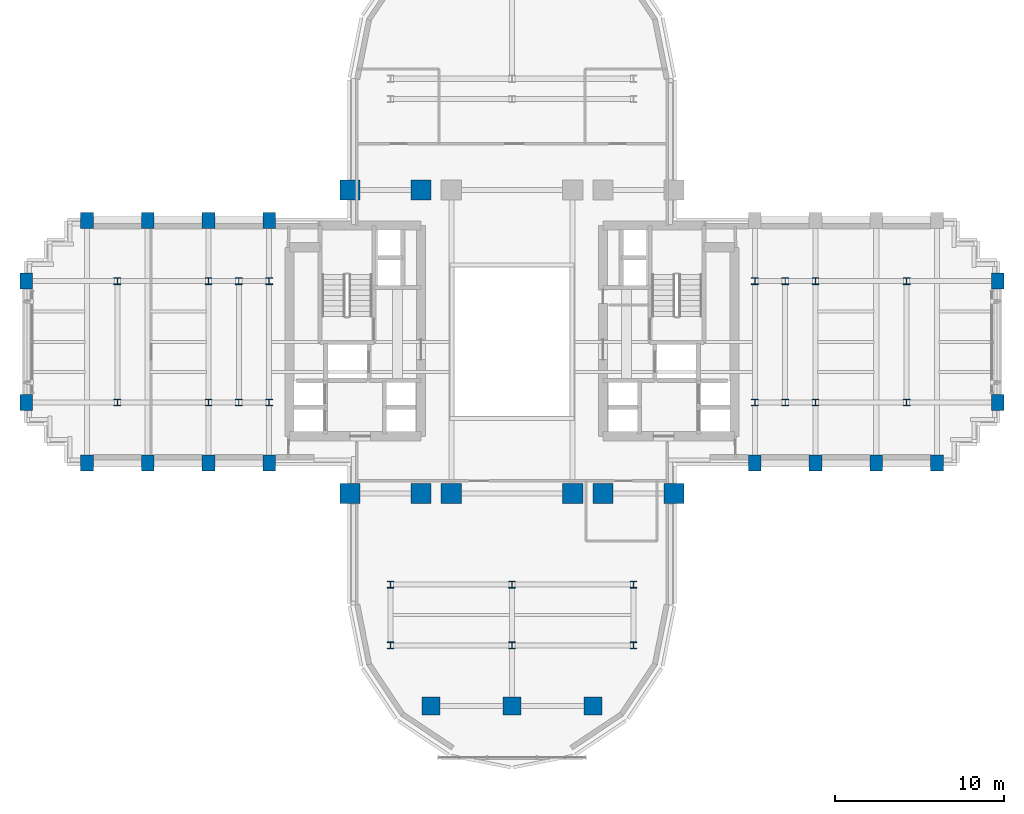
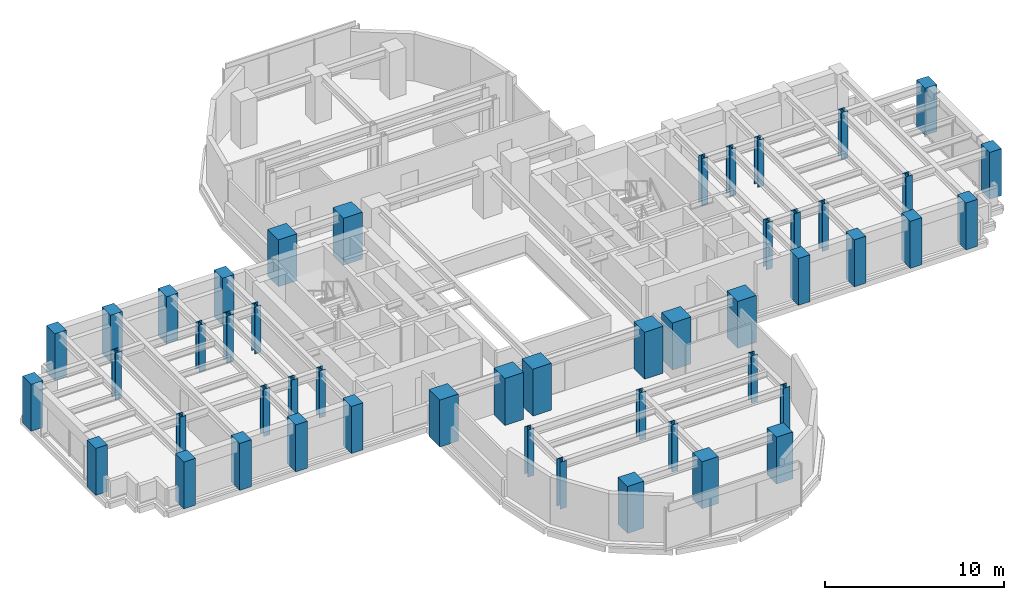
# One storey, part 1 of 16: 49 columns.
"""IFC4 building model written with IfcOpenShell, lengths in metres."""

from ifc_helpers import new_model, si_unit, direction, frame, origin, origin_2d, place, context, subcontext, project, spatial, rectangle, i_section, extrude, source, transform, mapped, material, material_profile, profile_set, type_object, element, save


model = new_model("IFC4")

# Units and contexts
model_context = context("Model", 3, precision=1e-05, world=origin(), true_north=direction((0.0, 1.0)))
body_context = subcontext(model_context, "Body", "Model", "MODEL_VIEW")
ifc_project = project(units=[si_unit("LENGTHUNIT", "METRE"), si_unit("AREAUNIT", "SQUARE_METRE"), si_unit("VOLUMEUNIT", "CUBIC_METRE"), si_unit("PLANEANGLEUNIT", "RADIAN"), si_unit("MASSUNIT", "GRAM", prefix="KILO")], contexts=[model_context])

# Site, building, storey
site_placement = place(None, origin())
site = spatial("IfcSite", under=ifc_project, at=site_placement, CompositionType="ELEMENT")
building_placement = place(site_placement, origin())
building = spatial("IfcBuilding", under=site, at=building_placement, Name="Keilestroom Media Tower", CompositionType="ELEMENT")
storey_placement = place(building_placement, frame((0.0, 0.0, 64.60009765625)))
storey = spatial("IfcBuildingStorey", under=building, at=storey_placement, Name="L16", CompositionType="ELEMENT", Elevation=64.60009765625)

# Columns
ifc_material_1 = material(Name="Precast concrete C40/50", Category="concrete")
ifc_material_profile_1 = material_profile(ifc_material_1, rectangle(XDim=0.75, YDim=0.949951171875, at=origin_2d()), Name="PC 950x750")
ifc_profile_set_1 = profile_set([ifc_material_profile_1], Name="Precast concrete C40/50")
column_type_1 = type_object("IfcColumnType", Name="Structural-Column-PC-950x750", PredefinedType="COLUMN", material=ifc_profile_set_1)
shared_shape_1 = source(origin(), body_context, "Body", "SweptSolid", [
    extrude(rectangle(XDim=0.75, YDim=0.949951171875, at=origin_2d()), origin(), (0.0, 0.0, 1.0), 3.199951171875),
])
for number, where, z_axis, x_axis, name in (
    (1, (-28.800048828125, -3.60009765625, 0.0), (0.0, 0.0, 1.0), (1.0, 0.0, 0.0), "L16 Column PC-1 (-28.8,-3.6)"),
    (2, (-28.800048828125, 3.60009765625, 0.0), (0.0, 0.0, 1.0), (1.0, 0.0, 0.0), "L16 Column PC-1 (-28.8,+3.6)"),
    (3, (-25.199951171875, -7.199951171875, 0.0), (0.0, 0.0, 1.0), (1.0, 0.0, 0.0), "L16 Column PC-1 (-25.2,-7.2)"),
    (4, (-25.199951171875, 7.199951171875, 0.0), (0.0, 0.0, 1.0), (1.0, 0.0, 0.0), "L16 Column PC-1 (-25.2,+7.2)"),
    (5, (-21.60009765625, -7.199951171875, 0.0), (0.0, 0.0, 1.0), (1.0, 0.0, 0.0), "L16 Column PC-1 (-21.6,-7.2)"),
    (6, (-21.60009765625, 7.199951171875, 0.0), (0.0, 0.0, 1.0), (1.0, 0.0, 0.0), "L16 Column PC-1 (-21.6,+7.2)"),
    (7, (-18.0, -7.199951171875, 0.0), (0.0, 0.0, 1.0), (1.0, 0.0, 0.0), "L16 Column PC-1 (-18.0,-7.2)"),
    (8, (-18.0, 7.199951171875, 0.0), (0.0, 0.0, 1.0), (1.0, 0.0, 0.0), "L16 Column PC-1 (-18.0,+7.2)"),
    (9, (-14.39990234375, -7.199951171875, 0.0), (0.0, 0.0, 1.0), (1.0, 0.0, 0.0), "L16 Column PC-1 (-14.4,-7.2)"),
    (10, (-14.39990234375, 7.199951171875, 0.0), (0.0, 0.0, 1.0), (1.0, 0.0, 0.0), "L16 Column PC-1 (-14.4,+7.2)"),
    (11, (14.39990234375, -7.199951171875, 0.0), (0.0, 0.0, 1.0), (1.0, 0.0, 0.0), "L16 Column PC-1 (+14.4,-7.2)"),
    (12, (18.0, -7.199951171875, 0.0), (0.0, 0.0, 1.0), (1.0, 0.0, 0.0), "L16 Column PC-1 (+18.0,-7.2)"),
    (13, (21.60009765625, -7.199951171875, 0.0), (0.0, 0.0, 1.0), (1.0, 0.0, 0.0), "L16 Column PC-1 (+21.6,-7.2)"),
    (14, (25.199951171875, -7.199951171875, 0.0), (0.0, 0.0, 1.0), (1.0, 0.0, 0.0), "L16 Column PC-1 (+25.2,-7.2)"),
    (15, (28.800048828125, -3.60009765625, 0.0), (0.0, 0.0, 1.0), (1.0, 0.0, 0.0), "L16 Column PC-1 (+28.8,-3.6)"),
    (16, (28.800048828125, 3.60009765625, 0.0), (0.0, 0.0, 1.0), (1.0, 0.0, 0.0), "L16 Column PC-1 (+28.8,+3.6)"),
):
    element("IfcColumn", number, at=place(storey_placement, frame(where, z_axis=z_axis, x_axis=x_axis)), inside=storey, type_object=column_type_1, Name=name, PredefinedType="COLUMN", context=body_context, shape_type="MappedRepresentation", body=[
        mapped(shared_shape_1, transform((0.0, 0.0, 0.0), x_axis=(1.0, 0.0, 0.0), y_axis=(0.0, 1.0, 0.0), z_axis=(0.0, 0.0, 1.0), scale=1.0)),
    ])
ifc_material_2 = material(Name="Steel S460", Category="steel")
ifc_material_profile_2 = material_profile(ifc_material_2, i_section(OverallWidth=0.404052734375, OverallDepth=0.406982421875, WebThickness=0.02197265625, FlangeThickness=0.035400390625, at=origin_2d()), Name="HD 400x347")
ifc_profile_set_2 = profile_set([ifc_material_profile_2], Name="Steel S460")
column_type_2 = type_object("IfcColumnType", Name="Structural-Column-HD-400x347", PredefinedType="COLUMN", material=ifc_profile_set_2)
shared_shape_2 = source(origin(), body_context, "Body", "SweptSolid", [
    extrude(i_section(OverallWidth=0.404052734375, OverallDepth=0.406982421875, WebThickness=0.02197265625, FlangeThickness=0.035400390625, at=origin_2d()), origin(), (0.0, 0.0, 1.0), 3.199951171875),
])
for number, where, z_axis, x_axis, name in (
    (17, (-23.39990234375, -3.60009765625, 0.0), (0.0, 0.0, 1.0), (1.0, 0.0, 0.0), "L16 Column SC-2 (-23.4,-3.6)"),
    (18, (-23.39990234375, 3.60009765625, 0.0), (0.0, 0.0, 1.0), (1.0, 0.0, 0.0), "L16 Column SC-2 (-23.4,+3.6)"),
    (19, (-18.0, -3.60009765625, 0.0), (0.0, 0.0, 1.0), (1.0, 0.0, 0.0), "L16 Column SC-2 (-18.0,-3.6)"),
    (20, (-18.0, 3.60009765625, 0.0), (0.0, 0.0, 1.0), (1.0, 0.0, 0.0), "L16 Column SC-2 (-18.0,+3.6)"),
    (21, (-16.199951171875, -3.60009765625, 0.0), (0.0, 0.0, 1.0), (1.0, 0.0, 0.0), "L16 Column SC-2 (-16.2,-3.6)"),
    (22, (-16.199951171875, 3.60009765625, 0.0), (0.0, 0.0, 1.0), (1.0, 0.0, 0.0), "L16 Column SC-2 (-16.2,+3.6)"),
    (23, (-14.39990234375, -3.60009765625, 0.0), (0.0, 0.0, 1.0), (1.0, 0.0, 0.0), "L16 Column SC-2 (-14.4,-3.6)"),
    (24, (-14.39990234375, 3.60009765625, 0.0), (0.0, 0.0, 1.0), (1.0, 0.0, 0.0), "L16 Column SC-2 (-14.4,+3.6)"),
    (25, (-7.199951171875, -18.0, 0.0), (0.0, 0.0, 1.0), (1.0, 0.0, 0.0), "L16 Column SC-2 (-7.2,-18.0)"),
    (26, (-7.199951171875, -14.39990234375, 0.0), (0.0, 0.0, 1.0), (1.0, 0.0, 0.0), "L16 Column SC-2 (-7.2,-14.4)"),
    (27, (0.0, -18.0, 0.0), (0.0, 0.0, 1.0), (1.0, 0.0, 0.0), "L16 Column SC-2 (+0.0,-18.0)"),
    (28, (0.0, -14.39990234375, 0.0), (0.0, 0.0, 1.0), (1.0, 0.0, 0.0), "L16 Column SC-2 (+0.0,-14.4)"),
    (29, (7.199951171875, -18.0, 0.0), (0.0, 0.0, 1.0), (1.0, 0.0, 0.0), "L16 Column SC-2 (+7.2,-18.0)"),
    (30, (7.199951171875, -14.39990234375, 0.0), (0.0, 0.0, 1.0), (1.0, 0.0, 0.0), "L16 Column SC-2 (+7.2,-14.4)"),
    (31, (14.39990234375, -3.60009765625, 0.0), (0.0, 0.0, 1.0), (1.0, 0.0, 0.0), "L16 Column SC-2 (+14.4,-3.6)"),
    (32, (14.39990234375, 3.60009765625, 0.0), (0.0, 0.0, 1.0), (1.0, 0.0, 0.0), "L16 Column SC-2 (+14.4,+3.6)"),
    (33, (16.199951171875, -3.60009765625, 0.0), (0.0, 0.0, 1.0), (1.0, 0.0, 0.0), "L16 Column SC-2 (+16.2,-3.6)"),
    (34, (16.199951171875, 3.60009765625, 0.0), (0.0, 0.0, 1.0), (1.0, 0.0, 0.0), "L16 Column SC-2 (+16.2,+3.6)"),
    (35, (18.0, -3.60009765625, 0.0), (0.0, 0.0, 1.0), (1.0, 0.0, 0.0), "L16 Column SC-2 (+18.0,-3.6)"),
    (36, (18.0, 3.60009765625, 0.0), (0.0, 0.0, 1.0), (1.0, 0.0, 0.0), "L16 Column SC-2 (+18.0,+3.6)"),
    (37, (23.39990234375, -3.60009765625, 0.0), (0.0, 0.0, 1.0), (1.0, 0.0, 0.0), "L16 Column SC-2 (+23.4,-3.6)"),
    (38, (23.39990234375, 3.60009765625, 0.0), (0.0, 0.0, 1.0), (1.0, 0.0, 0.0), "L16 Column SC-2 (+23.4,+3.6)"),
):
    element("IfcColumn", number, at=place(storey_placement, frame(where, z_axis=z_axis, x_axis=x_axis)), inside=storey, type_object=column_type_2, Name=name, PredefinedType="COLUMN", context=body_context, shape_type="MappedRepresentation", body=[
        mapped(shared_shape_2, transform((0.0, 0.0, 0.0), x_axis=(1.0, 0.0, 0.0), y_axis=(0.0, 1.0, 0.0), z_axis=(0.0, 0.0, 1.0), scale=1.0)),
    ])
ifc_material_3 = material(Name="Concrete C70/85", Category="concrete")
ifc_material_profile_3 = material_profile(ifc_material_3, rectangle(XDim=1.199951171875, YDim=1.199951171875, at=origin_2d()), Name="RC 1200x1200")
ifc_profile_set_3 = profile_set([ifc_material_profile_3], Name="Concrete C70/85")
column_type_3 = type_object("IfcColumnType", Name="Structural-Column-RC-1200x1200", PredefinedType="COLUMN", material=ifc_profile_set_3)
shared_shape_3 = source(origin(), body_context, "Body", "SweptSolid", [
    extrude(rectangle(XDim=1.199951171875, YDim=1.199951171875, at=origin_2d()), origin(), (0.0, 0.0, 1.0), 3.199951171875),
])
for number, where, z_axis, x_axis, name in (
    (39, (-9.60009765625, -9.0, 0.0), (0.0, 0.0, 1.0), (1.0, 0.0, 0.0), "L16 Column MC-2 (-9.6,-9.0)"),
    (40, (-9.60009765625, 9.0, 0.0), (0.0, 0.0, 1.0), (1.0, 0.0, 0.0), "L16 Column MC-2 (-9.6,+9.0)"),
    (41, (-5.39990234375, -9.0, 0.0), (0.0, 0.0, 1.0), (1.0, 0.0, 0.0), "L16 Column MC-2 (-5.4,-9.0)"),
    (42, (-5.39990234375, 9.0, 0.0), (0.0, 0.0, 1.0), (1.0, 0.0, 0.0), "L16 Column MC-2 (-5.4,+9.0)"),
    (43, (-3.60009765625, -9.0, 0.0), (0.0, 0.0, 1.0), (1.0, 0.0, 0.0), "L16 Column MC-2 (-3.6,-9.0)"),
    (44, (3.60009765625, -9.0, 0.0), (0.0, 0.0, 1.0), (1.0, 0.0, 0.0), "L16 Column MC-2 (+3.6,-9.0)"),
    (45, (5.39990234375, -9.0, 0.0), (0.0, 0.0, 1.0), (1.0, 0.0, 0.0), "L16 Column MC-2 (+5.4,-9.0)"),
    (46, (9.60009765625, -9.0, 0.0), (0.0, 0.0, 1.0), (1.0, 0.0, 0.0), "L16 Column MC-2 (+9.6,-9.0)"),
):
    element("IfcColumn", number, at=place(storey_placement, frame(where, z_axis=z_axis, x_axis=x_axis)), inside=storey, type_object=column_type_3, Name=name, PredefinedType="COLUMN", context=body_context, shape_type="MappedRepresentation", body=[
        mapped(shared_shape_3, transform((0.0, 0.0, 0.0), x_axis=(1.0, 0.0, 0.0), y_axis=(0.0, 1.0, 0.0), z_axis=(0.0, 0.0, 1.0), scale=1.0)),
    ])
ifc_material_4 = material(Name="Concrete C55/67", Category="concrete")
ifc_material_profile_4 = material_profile(ifc_material_4, rectangle(XDim=1.050048828125, YDim=1.050048828125, at=origin_2d()), Name="RC 1050x1050")
ifc_profile_set_4 = profile_set([ifc_material_profile_4], Name="Concrete C55/67")
column_type_4 = type_object("IfcColumnType", Name="Structural-Column-RC-1050x1050", PredefinedType="COLUMN", material=ifc_profile_set_4)
shared_shape_4 = source(origin(), body_context, "Body", "SweptSolid", [
    extrude(rectangle(XDim=1.050048828125, YDim=1.050048828125, at=origin_2d()), origin(), (0.0, 0.0, 1.0), 3.199951171875),
])
for number, where, z_axis, x_axis, name in (
    (47, (-4.800048828125, -21.60009765625, 0.0), (0.0, 0.0, 1.0), (1.0, 0.0, 0.0), "L16 Column MC-3 (-4.8,-21.6)"),
    (48, (0.0, -21.60009765625, 0.0), (0.0, 0.0, 1.0), (1.0, 0.0, 0.0), "L16 Column MC-3 (+0.0,-21.6)"),
    (49, (4.800048828125, -21.60009765625, 0.0), (0.0, 0.0, 1.0), (1.0, 0.0, 0.0), "L16 Column MC-3 (+4.8,-21.6)"),
):
    element("IfcColumn", number, at=place(storey_placement, frame(where, z_axis=z_axis, x_axis=x_axis)), inside=storey, type_object=column_type_4, Name=name, PredefinedType="COLUMN", context=body_context, shape_type="MappedRepresentation", body=[
        mapped(shared_shape_4, transform((0.0, 0.0, 0.0), x_axis=(1.0, 0.0, 0.0), y_axis=(0.0, 1.0, 0.0), z_axis=(0.0, 0.0, 1.0), scale=1.0)),
    ])

save(model, "model.ifc")
